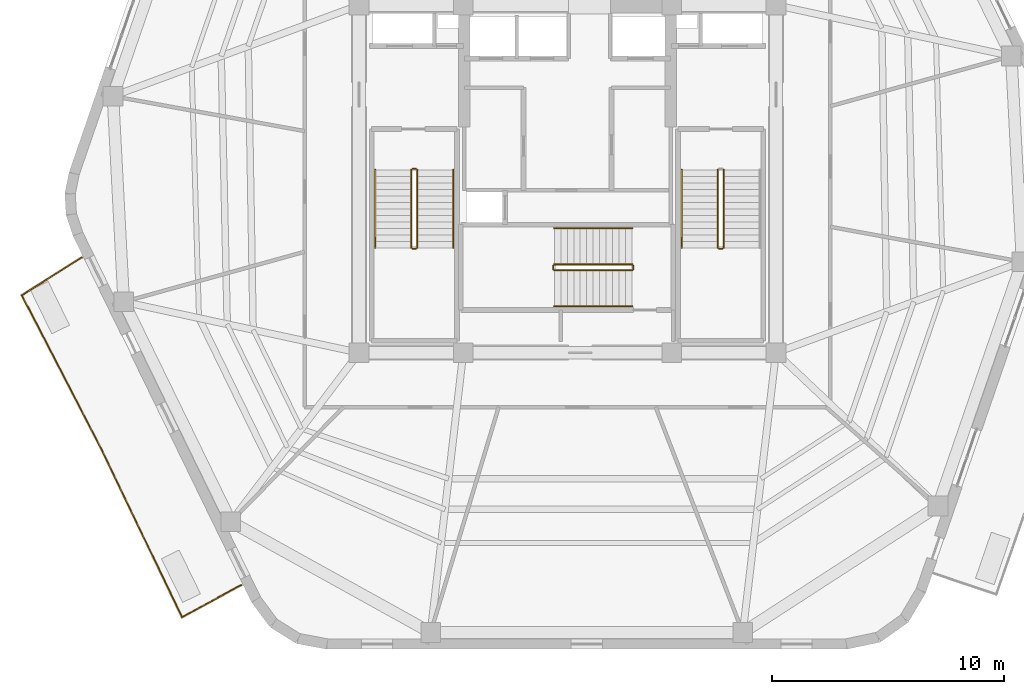
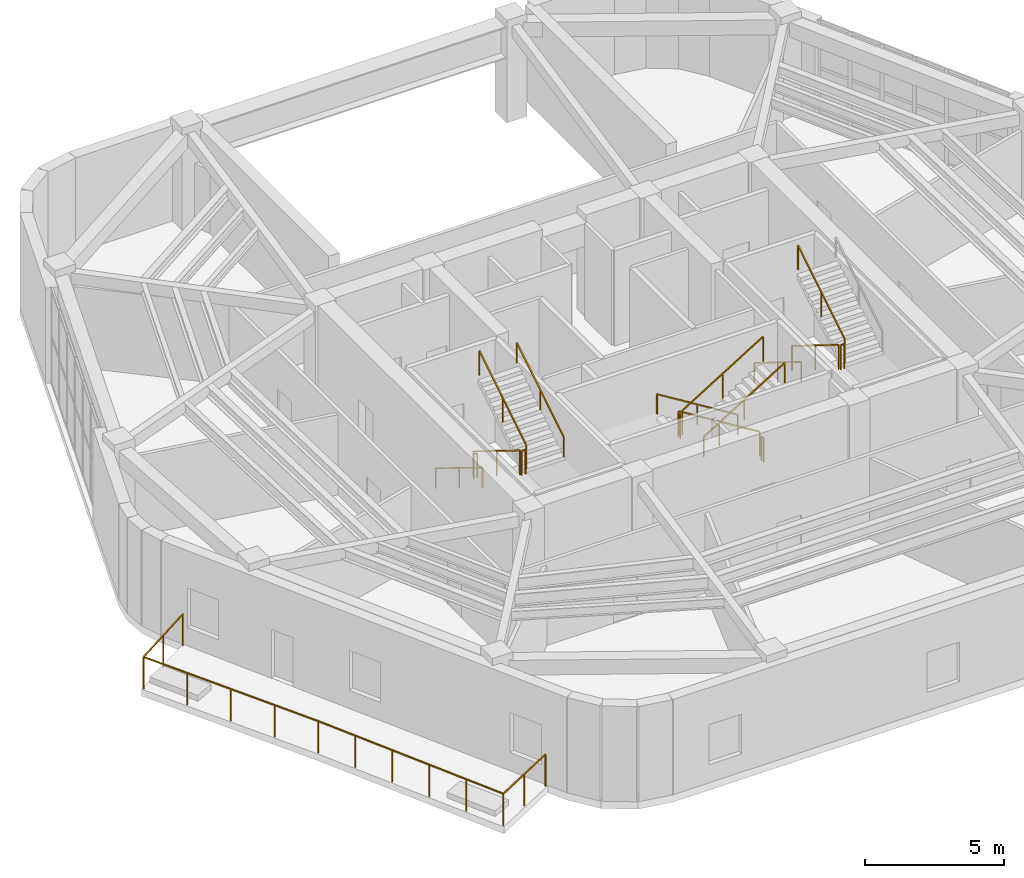
# One storey, part 14 of 15: 17 railings.
"""IFC4 building model written with IfcOpenShell, lengths in metres."""

from ifc_helpers import new_model, si_unit, direction, frame, origin, origin_2d, place, context, subcontext, project, spatial, rectangle, extrude, material, layer, layer_set, type_object, element, save


model = new_model("IFC4")

# Units and contexts
model_context = context("Model", 3, precision=1e-05, world=origin(), true_north=direction((0.0, 1.0)))
body_context = subcontext(model_context, "Body", "Model", "MODEL_VIEW")
ifc_project = project(units=[si_unit("LENGTHUNIT", "METRE"), si_unit("AREAUNIT", "SQUARE_METRE"), si_unit("VOLUMEUNIT", "CUBIC_METRE"), si_unit("PLANEANGLEUNIT", "RADIAN"), si_unit("MASSUNIT", "GRAM", prefix="KILO")], contexts=[model_context])

# Site, building, storey
site_placement = place(None, origin())
site = spatial("IfcSite", under=ifc_project, at=site_placement, CompositionType="ELEMENT")
building_placement = place(site_placement, origin())
building = spatial("IfcBuilding", under=site, at=building_placement, Name="Kilnhurst Terrace Hotel", CompositionType="ELEMENT")
storey_placement = place(building_placement, frame((0.0, 0.0, 293.10009765625)))
storey = spatial("IfcBuildingStorey", under=building, at=storey_placement, Name="L73", CompositionType="ELEMENT", Elevation=293.10009765625)

# Railings
ifc_material_1 = material(Name="Laminated SentryGlas and Stainless Steel AISI 316L Balustrade", Category="steel")
ifc_layer_1 = layer(ifc_material_1, 0.070068359375, Name="Laminated SentryGlas and Stainless Steel AISI 316L Balustrade")
ifc_layer_set_1 = layer_set([ifc_layer_1], Name="Laminated SentryGlas and Stainless Steel AISI 316L Balustrade")
railing_type_1 = type_object("IfcRailingType", Name="RLG-BAL-1420", PredefinedType="BALUSTRADE", material=ifc_layer_set_1)
railing_1_placement = place(storey_placement, frame((-14.089599609375, -17.52880859375, 0.0)))
element("IfcRailing", 1, at=railing_1_placement, inside=storey, type_object=railing_type_1, Name="L73 Exterior Terrace Guardrail BAL-L2A.1", PredefinedType="BALUSTRADE", context=body_context, shape_type="SweptSolid", body=[
    extrude(rectangle(XDim=0.048095703125, YDim=0.048095703125, at=origin_2d()), frame((0.0, 0.0, 1.39599609375), z_axis=(-0.878504936271, -0.477733269667, 0.0), x_axis=(0.477733269667, -0.878504936271, 0.0)), (0.0, 0.0, 1.0), 2.90576171875),
    extrude(rectangle(XDim=0.048095703125, YDim=0.048095703125, at=origin_2d()), frame((-2.552734375, -1.38818359375, 1.39599609375), z_axis=(-0.432219770894, 0.901768301532, 0.0), x_axis=(-0.901768301532, -0.432219770894, 0.0)), (0.0, 0.0, 1.0), 8.0576171875),
    extrude(rectangle(XDim=0.048095703125, YDim=0.048095703125, at=origin_2d()), frame((-6.035400390625, 5.8779296875, 1.39599609375), z_axis=(-0.496138938357, 0.868243142124, 0.0), x_axis=(-0.868243142124, -0.496138938357, 0.0)), (0.0, 0.0, 1.0), 0.001953125),
    extrude(rectangle(XDim=0.048095703125, YDim=0.048095703125, at=origin_2d()), frame((-6.036376953125, 5.879638671875, 1.39599609375), z_axis=(-0.459705000347, 0.888071682161, 0.0), x_axis=(-0.888071682161, -0.459705000347, 0.0)), (0.0, 0.0, 1.0), 7.46337890625),
    extrude(rectangle(XDim=0.048095703125, YDim=0.048095703125, at=origin_2d()), frame((-9.46728515625, 12.507568359375, 1.39599609375), z_axis=(0.845686755454, 0.533679596434, 0.0), x_axis=(-0.533679596434, 0.845686755454, 0.0)), (0.0, 0.0, 1.0), 3.048583984375),
    extrude(rectangle(XDim=0.0419921875, YDim=0.0419921875, at=origin_2d()), origin(), (0.0, 0.0, 1.0), 1.371826171875),
    extrude(rectangle(XDim=0.0419921875, YDim=0.0419921875, at=origin_2d()), frame((-1.2763671875, -0.694091796875, 0.0)), (0.0, 0.0, 1.0), 1.371826171875),
    extrude(rectangle(XDim=0.0419921875, YDim=0.0419921875, at=origin_2d()), frame((-2.552734375, -1.38818359375, 0.0)), (0.0, 0.0, 1.0), 1.371826171875),
    extrude(rectangle(XDim=0.0419921875, YDim=0.0419921875, at=origin_2d()), frame((-3.249267578125, 0.06494140625, 0.0)), (0.0, 0.0, 1.0), 1.371826171875),
    extrude(rectangle(XDim=0.0419921875, YDim=0.0419921875, at=origin_2d()), frame((-3.94580078125, 1.518310546875, 0.0)), (0.0, 0.0, 1.0), 1.371826171875),
    extrude(rectangle(XDim=0.0419921875, YDim=0.0419921875, at=origin_2d()), frame((-4.642333984375, 2.971435546875, 0.0)), (0.0, 0.0, 1.0), 1.371826171875),
    extrude(rectangle(XDim=0.0419921875, YDim=0.0419921875, at=origin_2d()), frame((-5.3388671875, 4.4248046875, 0.0)), (0.0, 0.0, 1.0), 1.371826171875),
    extrude(rectangle(XDim=0.0419921875, YDim=0.0419921875, at=origin_2d()), frame((-6.035400390625, 5.8779296875, 0.0)), (0.0, 0.0, 1.0), 1.371826171875),
    extrude(rectangle(XDim=0.0419921875, YDim=0.0419921875, at=origin_2d()), frame((-6.036376953125, 5.879638671875, 0.0)), (0.0, 0.0, 1.0), 1.371826171875),
    extrude(rectangle(XDim=0.0419921875, YDim=0.0419921875, at=origin_2d()), frame((-6.89404296875, 7.53662109375, 0.0)), (0.0, 0.0, 1.0), 1.371826171875),
    extrude(rectangle(XDim=0.0419921875, YDim=0.0419921875, at=origin_2d()), frame((-7.751953125, 9.193603515625, 0.0)), (0.0, 0.0, 1.0), 1.371826171875),
    extrude(rectangle(XDim=0.0419921875, YDim=0.0419921875, at=origin_2d()), frame((-8.609619140625, 10.8505859375, 0.0)), (0.0, 0.0, 1.0), 1.371826171875),
    extrude(rectangle(XDim=0.0419921875, YDim=0.0419921875, at=origin_2d()), frame((-9.46728515625, 12.507568359375, 0.0)), (0.0, 0.0, 1.0), 1.371826171875),
    extrude(rectangle(XDim=0.0419921875, YDim=0.0419921875, at=origin_2d()), frame((-8.17822265625, 13.321044921875, 0.0)), (0.0, 0.0, 1.0), 1.371826171875),
    extrude(rectangle(XDim=0.0419921875, YDim=0.0419921875, at=origin_2d()), frame((-6.88916015625, 14.134521484375, 0.0)), (0.0, 0.0, 1.0), 1.371826171875),
])
ifc_material_2 = material(Name="Powder-Coated Steel ASTM A500 Grade B", Category="steel")
ifc_layer_2 = layer(ifc_material_2, 0.050048828125, Name="Powder-Coated Steel ASTM A500 Grade B")
ifc_layer_set_2 = layer_set([ifc_layer_2], Name="Powder-Coated Steel ASTM A500 Grade B")
railing_type_2 = type_object("IfcRailingType", Name="RLG-ST-GRD-1100", PredefinedType="GUARDRAIL", material=ifc_layer_set_2)
railing_2_placement = place(storey_placement, frame((-6.739990234375, 0.389892578125, 0.173095703125)))
element("IfcRailing", 2, at=railing_2_placement, inside=storey, type_object=railing_type_2, Name="L73 ST-1 stair guard 1", PredefinedType="GUARDRAIL", context=body_context, shape_type="SweptSolid", body=[
    extrude(rectangle(XDim=0.048095703125, YDim=0.048095703125, at=origin_2d()), frame((0.0, 0.0, 1.076171875), z_axis=(0.0, -0.850606129759, 0.525803396734), x_axis=(1.0, 0.0, 0.0)), (0.0, 0.0, 1.0), 3.949951171875),
    extrude(rectangle(XDim=0.0419921875, YDim=0.0419921875, at=origin_2d()), origin(), (0.0, 0.0, 1.0), 1.052001953125),
    extrude(rectangle(XDim=0.0419921875, YDim=0.0419921875, at=origin_2d()), frame((0.0, -1.679931640625, 1.03857421875)), (0.0, 0.0, 1.0), 1.052001953125),
    extrude(rectangle(XDim=0.0419921875, YDim=0.0419921875, at=origin_2d()), frame((0.0, -3.35986328125, 2.076904296875)), (0.0, 0.0, 1.0), 1.052001953125),
])
railing_3_placement = place(storey_placement, frame((-6.68994140625, -3.02001953125, 2.25)))
element("IfcRailing", 3, at=railing_3_placement, inside=storey, type_object=railing_type_2, Name="L73 ST-1 stair guard 2", PredefinedType="GUARDRAIL", context=body_context, shape_type="SweptSolid", body=[
    extrude(rectangle(XDim=0.048095703125, YDim=0.048095703125, at=origin_2d()), frame((0.0, 0.0, 1.076171875), z_axis=(1.0, 0.0, 0.0), x_axis=(0.0, 1.0, 0.0)), (0.0, 0.0, 1.0), 0.14990234375),
    extrude(rectangle(XDim=0.0419921875, YDim=0.0419921875, at=origin_2d()), origin(), (0.0, 0.0, 1.0), 1.052001953125),
    extrude(rectangle(XDim=0.0419921875, YDim=0.0419921875, at=origin_2d()), frame((0.14990234375, 0.0, 0.0)), (0.0, 0.0, 1.0), 1.052001953125),
])
railing_4_placement = place(storey_placement, frame((-6.489990234375, -2.969970703125, 2.423095703125)))
element("IfcRailing", 4, at=railing_4_placement, inside=storey, type_object=railing_type_2, Name="L73 ST-1 stair guard 3", PredefinedType="GUARDRAIL", context=body_context, shape_type="SweptSolid", body=[
    extrude(rectangle(XDim=0.048095703125, YDim=0.048095703125, at=origin_2d()), frame((0.0, 0.0, 1.076171875), z_axis=(0.0, 0.850606129759, 0.525803396734), x_axis=(-1.0, 0.0, 0.0)), (0.0, 0.0, 1.0), 3.949951171875),
    extrude(rectangle(XDim=0.0419921875, YDim=0.0419921875, at=origin_2d()), origin(), (0.0, 0.0, 1.0), 1.052001953125),
    extrude(rectangle(XDim=0.0419921875, YDim=0.0419921875, at=origin_2d()), frame((0.0, 1.679931640625, 1.03857421875)), (0.0, 0.0, 1.0), 1.052001953125),
    extrude(rectangle(XDim=0.0419921875, YDim=0.0419921875, at=origin_2d()), frame((0.0, 3.35986328125, 2.076904296875)), (0.0, 0.0, 1.0), 1.052001953125),
])
railing_5_placement = place(storey_placement, frame((-6.68994140625, 0.43994140625, 0.0)))
element("IfcRailing", 5, at=railing_5_placement, inside=storey, type_object=railing_type_2, Name="L73 ST-1 stair guard 4", PredefinedType="GUARDRAIL", context=body_context, shape_type="SweptSolid", body=[
    extrude(rectangle(XDim=0.048095703125, YDim=0.048095703125, at=origin_2d()), frame((0.0, 0.0, 1.076171875), z_axis=(1.0, 0.0, 0.0), x_axis=(0.0, 1.0, 0.0)), (0.0, 0.0, 1.0), 0.14990234375),
    extrude(rectangle(XDim=0.0419921875, YDim=0.0419921875, at=origin_2d()), origin(), (0.0, 0.0, 1.0), 1.052001953125),
    extrude(rectangle(XDim=0.0419921875, YDim=0.0419921875, at=origin_2d()), frame((0.14990234375, 0.0, 0.0)), (0.0, 0.0, 1.0), 1.052001953125),
])
railing_6_placement = place(storey_placement, frame((6.489990234375, 0.389892578125, 0.173095703125)))
element("IfcRailing", 6, at=railing_6_placement, inside=storey, type_object=railing_type_2, Name="L73 ST-2 stair guard 1", PredefinedType="GUARDRAIL", context=body_context, shape_type="SweptSolid", body=[
    extrude(rectangle(XDim=0.048095703125, YDim=0.048095703125, at=origin_2d()), frame((0.0, 0.0, 1.076171875), z_axis=(0.0, -0.850606129759, 0.525803396734), x_axis=(1.0, 0.0, 0.0)), (0.0, 0.0, 1.0), 3.949951171875),
    extrude(rectangle(XDim=0.0419921875, YDim=0.0419921875, at=origin_2d()), origin(), (0.0, 0.0, 1.0), 1.052001953125),
    extrude(rectangle(XDim=0.0419921875, YDim=0.0419921875, at=origin_2d()), frame((0.0, -1.679931640625, 1.03857421875)), (0.0, 0.0, 1.0), 1.052001953125),
    extrude(rectangle(XDim=0.0419921875, YDim=0.0419921875, at=origin_2d()), frame((0.0, -3.35986328125, 2.076904296875)), (0.0, 0.0, 1.0), 1.052001953125),
])
railing_7_placement = place(storey_placement, frame((6.5400390625, -3.02001953125, 2.25)))
element("IfcRailing", 7, at=railing_7_placement, inside=storey, type_object=railing_type_2, Name="L73 ST-2 stair guard 2", PredefinedType="GUARDRAIL", context=body_context, shape_type="SweptSolid", body=[
    extrude(rectangle(XDim=0.048095703125, YDim=0.048095703125, at=origin_2d()), frame((0.0, 0.0, 1.076171875), z_axis=(1.0, 0.0, 0.0), x_axis=(0.0, 1.0, 0.0)), (0.0, 0.0, 1.0), 0.14990234375),
    extrude(rectangle(XDim=0.0419921875, YDim=0.0419921875, at=origin_2d()), origin(), (0.0, 0.0, 1.0), 1.052001953125),
    extrude(rectangle(XDim=0.0419921875, YDim=0.0419921875, at=origin_2d()), frame((0.14990234375, 0.0, 0.0)), (0.0, 0.0, 1.0), 1.052001953125),
])
railing_8_placement = place(storey_placement, frame((6.739990234375, -2.969970703125, 2.423095703125)))
element("IfcRailing", 8, at=railing_8_placement, inside=storey, type_object=railing_type_2, Name="L73 ST-2 stair guard 3", PredefinedType="GUARDRAIL", context=body_context, shape_type="SweptSolid", body=[
    extrude(rectangle(XDim=0.048095703125, YDim=0.048095703125, at=origin_2d()), frame((0.0, 0.0, 1.076171875), z_axis=(0.0, 0.850606129759, 0.525803396734), x_axis=(-1.0, 0.0, 0.0)), (0.0, 0.0, 1.0), 3.949951171875),
    extrude(rectangle(XDim=0.0419921875, YDim=0.0419921875, at=origin_2d()), origin(), (0.0, 0.0, 1.0), 1.052001953125),
    extrude(rectangle(XDim=0.0419921875, YDim=0.0419921875, at=origin_2d()), frame((0.0, 1.679931640625, 1.03857421875)), (0.0, 0.0, 1.0), 1.052001953125),
    extrude(rectangle(XDim=0.0419921875, YDim=0.0419921875, at=origin_2d()), frame((0.0, 3.35986328125, 2.076904296875)), (0.0, 0.0, 1.0), 1.052001953125),
])
railing_9_placement = place(storey_placement, frame((2.7900390625, -3.68994140625, 0.173095703125)))
element("IfcRailing", 9, at=railing_9_placement, inside=storey, type_object=railing_type_2, Name="L73 ST-3 stair guard 1", PredefinedType="GUARDRAIL", context=body_context, shape_type="SweptSolid", body=[
    extrude(rectangle(XDim=0.048095703125, YDim=0.048095703125, at=origin_2d()), frame((0.0, 0.0, 1.076171875), z_axis=(-0.850623216509, 0.0, 0.525775754039), x_axis=(0.0, -1.0, 0.0)), (0.0, 0.0, 1.0), 3.9501953125),
    extrude(rectangle(XDim=0.0419921875, YDim=0.0419921875, at=origin_2d()), origin(), (0.0, 0.0, 1.0), 1.052001953125),
    extrude(rectangle(XDim=0.0419921875, YDim=0.0419921875, at=origin_2d()), frame((-1.68017578125, 0.0, 1.03857421875)), (0.0, 0.0, 1.0), 1.052001953125),
    extrude(rectangle(XDim=0.0419921875, YDim=0.0419921875, at=origin_2d()), frame((-3.360107421875, 0.0, 2.076904296875)), (0.0, 0.0, 1.0), 1.052001953125),
])
railing_10_placement = place(storey_placement, frame((-0.6201171875, -3.739990234375, 2.25)))
element("IfcRailing", 10, at=railing_10_placement, inside=storey, type_object=railing_type_2, Name="L73 ST-3 stair guard 2", PredefinedType="GUARDRAIL", context=body_context, shape_type="SweptSolid", body=[
    extrude(rectangle(XDim=0.048095703125, YDim=0.048095703125, at=origin_2d()), frame((0.0, 0.0, 1.076171875), z_axis=(0.0, -1.0, 0.0), x_axis=(1.0, 0.0, 0.0)), (0.0, 0.0, 1.0), 0.14990234375),
    extrude(rectangle(XDim=0.0419921875, YDim=0.0419921875, at=origin_2d()), origin(), (0.0, 0.0, 1.0), 1.052001953125),
    extrude(rectangle(XDim=0.0419921875, YDim=0.0419921875, at=origin_2d()), frame((0.0, -0.14990234375, 0.0)), (0.0, 0.0, 1.0), 1.052001953125),
])
railing_11_placement = place(storey_placement, frame((-0.570068359375, -3.93994140625, 2.423095703125)))
element("IfcRailing", 11, at=railing_11_placement, inside=storey, type_object=railing_type_2, Name="L73 ST-3 stair guard 3", PredefinedType="GUARDRAIL", context=body_context, shape_type="SweptSolid", body=[
    extrude(rectangle(XDim=0.048095703125, YDim=0.048095703125, at=origin_2d()), frame((0.0, 0.0, 1.076171875), z_axis=(0.850623216509, 0.0, 0.525775754039), x_axis=(0.0, 1.0, 0.0)), (0.0, 0.0, 1.0), 3.9501953125),
    extrude(rectangle(XDim=0.0419921875, YDim=0.0419921875, at=origin_2d()), origin(), (0.0, 0.0, 1.0), 1.052001953125),
    extrude(rectangle(XDim=0.0419921875, YDim=0.0419921875, at=origin_2d()), frame((1.68017578125, 0.0, 1.03857421875)), (0.0, 0.0, 1.0), 1.052001953125),
    extrude(rectangle(XDim=0.0419921875, YDim=0.0419921875, at=origin_2d()), frame((3.360107421875, 0.0, 2.076904296875)), (0.0, 0.0, 1.0), 1.052001953125),
])
railing_12_placement = place(storey_placement, frame((2.840087890625, -3.739990234375, 0.0)))
element("IfcRailing", 12, at=railing_12_placement, inside=storey, type_object=railing_type_2, Name="L73 ST-3 stair guard 4", PredefinedType="GUARDRAIL", context=body_context, shape_type="SweptSolid", body=[
    extrude(rectangle(XDim=0.048095703125, YDim=0.048095703125, at=origin_2d()), frame((0.0, 0.0, 1.076171875), z_axis=(0.0, -1.0, 0.0), x_axis=(1.0, 0.0, 0.0)), (0.0, 0.0, 1.0), 0.14990234375),
    extrude(rectangle(XDim=0.0419921875, YDim=0.0419921875, at=origin_2d()), origin(), (0.0, 0.0, 1.0), 1.052001953125),
    extrude(rectangle(XDim=0.0419921875, YDim=0.0419921875, at=origin_2d()), frame((0.0, -0.14990234375, 0.0)), (0.0, 0.0, 1.0), 1.052001953125),
])
ifc_material_3 = material(Name="Brushed Stainless Steel AISI 304", Category="steel")
ifc_layer_3 = layer(ifc_material_3, 0.048095703125, Name="Brushed Stainless Steel AISI 304")
ifc_layer_set_3 = layer_set([ifc_layer_3], Name="Brushed Stainless Steel AISI 304")
railing_type_3 = type_object("IfcRailingType", Name="RLG-ST-HRL-900", PredefinedType="HANDRAIL", material=ifc_layer_set_3)
railing_13_placement = place(storey_placement, frame((-8.300048828125, 0.389892578125, 0.173095703125)))
element("IfcRailing", 13, at=railing_13_placement, inside=storey, type_object=railing_type_3, Name="L73 ST-1 stair handrail 1", PredefinedType="HANDRAIL", context=body_context, shape_type="SweptSolid", body=[
    extrude(rectangle(XDim=0.048095703125, YDim=0.048095703125, at=origin_2d()), frame((0.0, 0.0, 0.8759765625), z_axis=(0.0, -0.850606129759, 0.525803396734), x_axis=(1.0, 0.0, 0.0)), (0.0, 0.0, 1.0), 3.949951171875),
    extrude(rectangle(XDim=0.0419921875, YDim=0.0419921875, at=origin_2d()), origin(), (0.0, 0.0, 1.0), 0.851806640625),
    extrude(rectangle(XDim=0.0419921875, YDim=0.0419921875, at=origin_2d()), frame((0.0, -1.679931640625, 1.03857421875)), (0.0, 0.0, 1.0), 0.851806640625),
    extrude(rectangle(XDim=0.0419921875, YDim=0.0419921875, at=origin_2d()), frame((0.0, -3.35986328125, 2.076904296875)), (0.0, 0.0, 1.0), 0.851806640625),
])
railing_14_placement = place(storey_placement, frame((-4.929931640625, -2.969970703125, 2.423095703125)))
element("IfcRailing", 14, at=railing_14_placement, inside=storey, type_object=railing_type_3, Name="L73 ST-1 stair handrail 2", PredefinedType="HANDRAIL", context=body_context, shape_type="SweptSolid", body=[
    extrude(rectangle(XDim=0.048095703125, YDim=0.048095703125, at=origin_2d()), frame((0.0, 0.0, 0.8759765625), z_axis=(0.0, 0.850606129759, 0.525803396734), x_axis=(-1.0, 0.0, 0.0)), (0.0, 0.0, 1.0), 3.949951171875),
    extrude(rectangle(XDim=0.0419921875, YDim=0.0419921875, at=origin_2d()), origin(), (0.0, 0.0, 1.0), 0.851806640625),
    extrude(rectangle(XDim=0.0419921875, YDim=0.0419921875, at=origin_2d()), frame((0.0, 1.679931640625, 1.03857421875)), (0.0, 0.0, 1.0), 0.851806640625),
    extrude(rectangle(XDim=0.0419921875, YDim=0.0419921875, at=origin_2d()), frame((0.0, 3.35986328125, 2.076904296875)), (0.0, 0.0, 1.0), 0.851806640625),
])
railing_15_placement = place(storey_placement, frame((4.929931640625, 0.389892578125, 0.173095703125)))
element("IfcRailing", 15, at=railing_15_placement, inside=storey, type_object=railing_type_3, Name="L73 ST-2 stair handrail 1", PredefinedType="HANDRAIL", context=body_context, shape_type="SweptSolid", body=[
    extrude(rectangle(XDim=0.048095703125, YDim=0.048095703125, at=origin_2d()), frame((0.0, 0.0, 0.8759765625), z_axis=(0.0, -0.850606129759, 0.525803396734), x_axis=(1.0, 0.0, 0.0)), (0.0, 0.0, 1.0), 3.949951171875),
    extrude(rectangle(XDim=0.0419921875, YDim=0.0419921875, at=origin_2d()), origin(), (0.0, 0.0, 1.0), 0.851806640625),
    extrude(rectangle(XDim=0.0419921875, YDim=0.0419921875, at=origin_2d()), frame((0.0, -1.679931640625, 1.03857421875)), (0.0, 0.0, 1.0), 0.851806640625),
    extrude(rectangle(XDim=0.0419921875, YDim=0.0419921875, at=origin_2d()), frame((0.0, -3.35986328125, 2.076904296875)), (0.0, 0.0, 1.0), 0.851806640625),
])
railing_16_placement = place(storey_placement, frame((2.7900390625, -2.1298828125, 0.173095703125)))
element("IfcRailing", 16, at=railing_16_placement, inside=storey, type_object=railing_type_3, Name="L73 ST-3 stair handrail 1", PredefinedType="HANDRAIL", context=body_context, shape_type="SweptSolid", body=[
    extrude(rectangle(XDim=0.048095703125, YDim=0.048095703125, at=origin_2d()), frame((0.0, 0.0, 0.8759765625), z_axis=(-0.850623216509, 0.0, 0.525775754039), x_axis=(0.0, -1.0, 0.0)), (0.0, 0.0, 1.0), 3.9501953125),
    extrude(rectangle(XDim=0.0419921875, YDim=0.0419921875, at=origin_2d()), origin(), (0.0, 0.0, 1.0), 0.851806640625),
    extrude(rectangle(XDim=0.0419921875, YDim=0.0419921875, at=origin_2d()), frame((-1.68017578125, 0.0, 1.03857421875)), (0.0, 0.0, 1.0), 0.851806640625),
    extrude(rectangle(XDim=0.0419921875, YDim=0.0419921875, at=origin_2d()), frame((-3.360107421875, 0.0, 2.076904296875)), (0.0, 0.0, 1.0), 0.851806640625),
])
railing_17_placement = place(storey_placement, frame((-0.570068359375, -5.5, 2.423095703125)))
element("IfcRailing", 17, at=railing_17_placement, inside=storey, type_object=railing_type_3, Name="L73 ST-3 stair handrail 2", PredefinedType="HANDRAIL", context=body_context, shape_type="SweptSolid", body=[
    extrude(rectangle(XDim=0.048095703125, YDim=0.048095703125, at=origin_2d()), frame((0.0, 0.0, 0.8759765625), z_axis=(0.850623216509, 0.0, 0.525775754039), x_axis=(0.0, 1.0, 0.0)), (0.0, 0.0, 1.0), 3.9501953125),
    extrude(rectangle(XDim=0.0419921875, YDim=0.0419921875, at=origin_2d()), origin(), (0.0, 0.0, 1.0), 0.851806640625),
    extrude(rectangle(XDim=0.0419921875, YDim=0.0419921875, at=origin_2d()), frame((1.68017578125, 0.0, 1.03857421875)), (0.0, 0.0, 1.0), 0.851806640625),
    extrude(rectangle(XDim=0.0419921875, YDim=0.0419921875, at=origin_2d()), frame((3.360107421875, 0.0, 2.076904296875)), (0.0, 0.0, 1.0), 0.851806640625),
])

save(model, "model.ifc")
